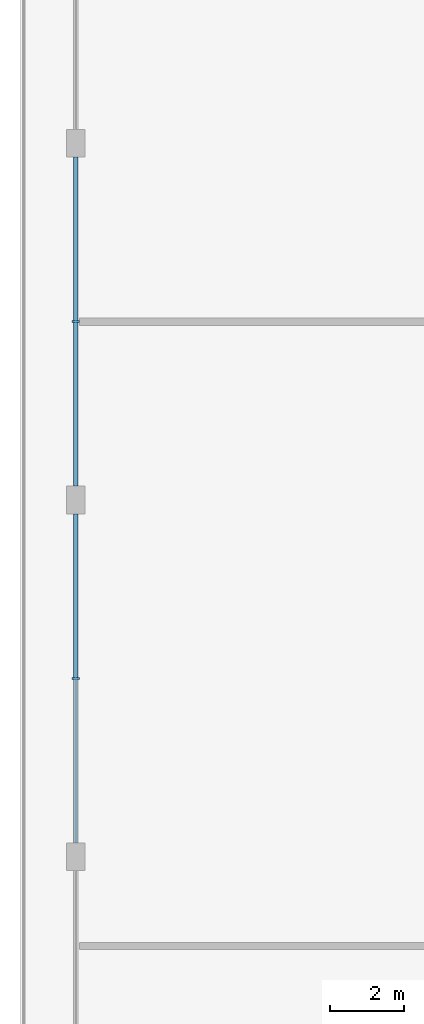
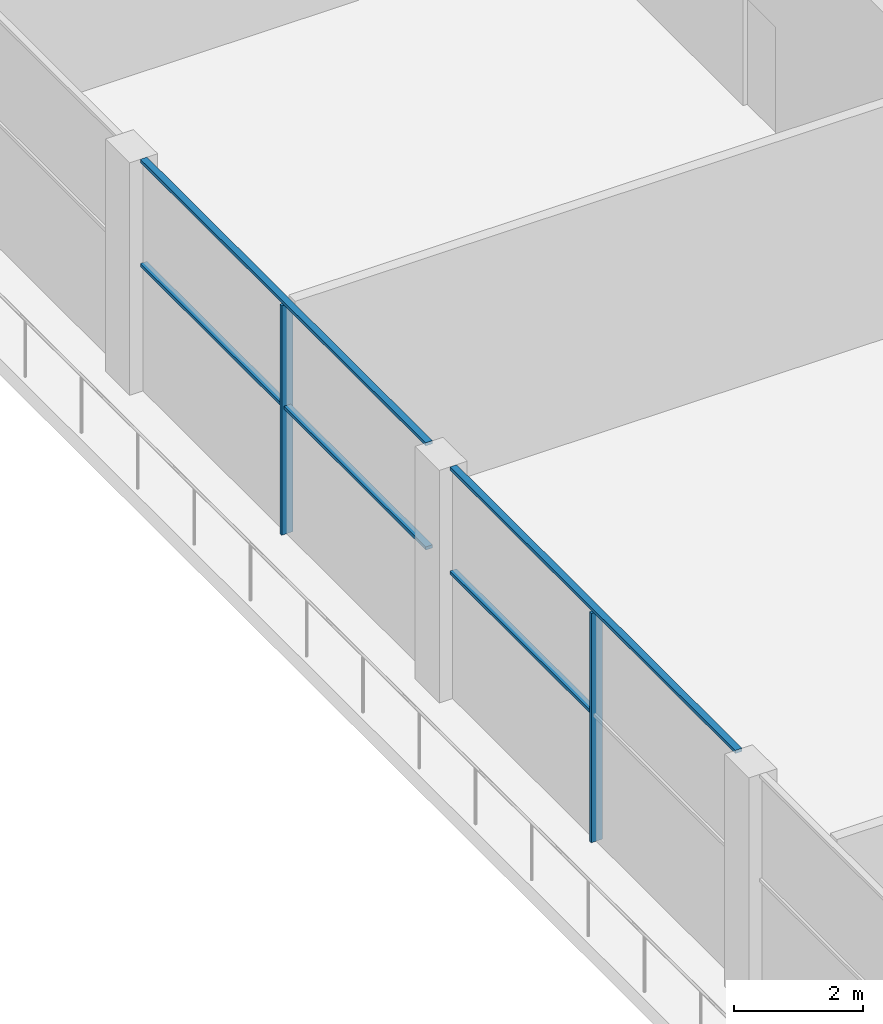
# One storey, part 3 of 15: 7 members, 2 elements without a shape of their own.
"""IFC4 building model written with IfcOpenShell, lengths in metres."""

from ifc_helpers import new_model, si_unit, direction, frame, origin, origin_2d, place, context, subcontext, project, spatial, rectangle, extrude, material, layer, layer_set, material_profile, profile_set, type_object, element, aggregate, save


model = new_model("IFC4")

# Units and contexts
model_context = context("Model", 3, precision=1e-05, world=origin(), true_north=direction((0.0, 1.0)))
body_context = subcontext(model_context, "Body", "Model", "MODEL_VIEW")
ifc_project = project(units=[si_unit("LENGTHUNIT", "METRE"), si_unit("AREAUNIT", "SQUARE_METRE"), si_unit("VOLUMEUNIT", "CUBIC_METRE"), si_unit("PLANEANGLEUNIT", "RADIAN"), si_unit("MASSUNIT", "GRAM", prefix="KILO")], contexts=[model_context])

# Site, building, storey
site_placement = place(None, origin())
site = spatial("IfcSite", under=ifc_project, at=site_placement, CompositionType="ELEMENT")
building_placement = place(site_placement, origin())
building = spatial("IfcBuilding", under=site, at=building_placement, Name="Madar Terraces", CompositionType="ELEMENT")
storey_placement = place(building_placement, frame((0.0, 0.0, 291.5)))
storey = spatial("IfcBuildingStorey", under=building, at=storey_placement, Name="L76", CompositionType="ELEMENT", Elevation=291.5)

# Curtain wall, member
ifc_material_1 = material(Name="Glass, clear low-iron, with black aluminium frame", Category="aluminium")
ifc_layer = layer(ifc_material_1, 0.199951171875)
ifc_layer_set = layer_set([ifc_layer], Name="Facade curtain wall, observation glazing")
curtain_wall_type = type_object("IfcCurtainWallType", Name="Facade curtain wall, observation glazing", PredefinedType="NOTDEFINED", material=ifc_layer_set)
curtain_wall_1_placement = place(storey_placement, origin())
curtain_wall_1 = element("IfcCurtainWall", 1, at=curtain_wall_1_placement, inside=storey, type_object=curtain_wall_type, Name="Outer skin curtain wall west bay 2", PredefinedType="NOTDEFINED")
ifc_material_2 = material(Name="Aluminium, black anodised", Category="aluminium")
ifc_material_profile_1 = material_profile(ifc_material_2, rectangle(XDim=0.199951171875, YDim=0.06005859375, at=origin_2d()), Name="Facade mullion 60x200")
ifc_profile_set_1 = profile_set([ifc_material_profile_1], Name="Aluminium, black anodised")
member_type_1 = type_object("IfcMemberType", Name="Facade mullion 60x200", PredefinedType="MULLION", material=ifc_profile_set_1)
member_1_placement = place(storey_placement, frame((0.0, 28.800048828125, 0.0), z_axis=(0.0, 0.0, 1.0), x_axis=(1.0, 0.0, 0.0)))
member_1 = element("IfcMember", 2, at=member_1_placement, type_object=member_type_1, Name="Mullion 1", PredefinedType="MULLION", context=body_context, shape_type="SweptSolid", body=[
    extrude(rectangle(XDim=0.199951171875, YDim=0.06005859375, at=origin_2d()), origin(), (0.0, 0.0, 1.0), 4.340087890625),
])

curtain_wall_2_placement = place(storey_placement, origin())
curtain_wall_2 = element("IfcCurtainWall", 3, at=curtain_wall_2_placement, inside=storey, type_object=curtain_wall_type, Name="Outer skin curtain wall west bay 3", PredefinedType="NOTDEFINED")
member_2_placement = place(storey_placement, frame((0.0, 19.199951171875, 0.0), z_axis=(0.0, 0.0, 1.0), x_axis=(1.0, 0.0, 0.0)))
member_2 = element("IfcMember", 4, at=member_2_placement, type_object=member_type_1, Name="Mullion 1", PredefinedType="MULLION", context=body_context, shape_type="SweptSolid", body=[
    extrude(rectangle(XDim=0.199951171875, YDim=0.06005859375, at=origin_2d()), origin(), (0.0, 0.0, 1.0), 4.340087890625),
])

# Member
ifc_material_3 = material(Name="Aluminium, black anodised", Category="aluminium")
ifc_material_profile_2 = material_profile(ifc_material_3, rectangle(XDim=0.1201171875, YDim=0.06005859375, at=origin_2d()), Name="Facade transom 60x120")
ifc_profile_set_2 = profile_set([ifc_material_profile_2], Name="Aluminium, black anodised")
member_type_2 = type_object("IfcMemberType", Name="Facade transom 60x120", PredefinedType="USERDEFINED", material=ifc_profile_set_2)
member_3_placement = place(storey_placement, frame((0.0, 33.22509765625, 4.3701171875), z_axis=(0.0, -1.0, 0.0), x_axis=(1.0, 0.0, 0.0)))
member_3 = element("IfcMember", 5, at=member_3_placement, type_object=member_type_2, Name="Transom 1", ObjectType="TRANSOM", PredefinedType="USERDEFINED", context=body_context, shape_type="SweptSolid", body=[
    extrude(rectangle(XDim=0.1201171875, YDim=0.06005859375, at=origin_2d()), origin(), (0.0, 0.0, 1.0), 8.85009765625),
])

member_4_placement = place(storey_placement, frame((0.0, 33.22509765625, 2.39990234375), z_axis=(0.0, -1.0, 0.0), x_axis=(1.0, 0.0, 0.0)))
member_4 = element("IfcMember", 6, at=member_4_placement, type_object=member_type_2, Name="Transom 2", ObjectType="TRANSOM", PredefinedType="USERDEFINED", context=body_context, shape_type="SweptSolid", body=[
    extrude(rectangle(XDim=0.1201171875, YDim=0.06005859375, at=origin_2d()), origin(), (0.0, 0.0, 1.0), 4.39501953125),
])

member_5_placement = place(storey_placement, frame((0.0, 28.77001953125, 2.39990234375), z_axis=(0.0, -1.0, 0.0), x_axis=(1.0, 0.0, 0.0)))
member_5 = element("IfcMember", 7, at=member_5_placement, type_object=member_type_2, Name="Transom 3", ObjectType="TRANSOM", PredefinedType="USERDEFINED", context=body_context, shape_type="SweptSolid", body=[
    extrude(rectangle(XDim=0.1201171875, YDim=0.06005859375, at=origin_2d()), origin(), (0.0, 0.0, 1.0), 4.39501953125),
])

aggregate(curtain_wall_1, [member_1, member_3, member_4, member_5])

member_6_placement = place(storey_placement, frame((0.0, 23.625, 4.3701171875), z_axis=(0.0, -1.0, 0.0), x_axis=(1.0, 0.0, 0.0)))
member_6 = element("IfcMember", 8, at=member_6_placement, type_object=member_type_2, Name="Transom 1", ObjectType="TRANSOM", PredefinedType="USERDEFINED", context=body_context, shape_type="SweptSolid", body=[
    extrude(rectangle(XDim=0.1201171875, YDim=0.06005859375, at=origin_2d()), origin(), (0.0, 0.0, 1.0), 8.85009765625),
])

member_7_placement = place(storey_placement, frame((0.0, 23.625, 2.39990234375), z_axis=(0.0, -1.0, 0.0), x_axis=(1.0, 0.0, 0.0)))
member_7 = element("IfcMember", 9, at=member_7_placement, type_object=member_type_2, Name="Transom 2", ObjectType="TRANSOM", PredefinedType="USERDEFINED", context=body_context, shape_type="SweptSolid", body=[
    extrude(rectangle(XDim=0.1201171875, YDim=0.06005859375, at=origin_2d()), origin(), (0.0, 0.0, 1.0), 4.39501953125),
])

aggregate(curtain_wall_2, [member_2, member_6, member_7])

save(model, "model.ifc")
